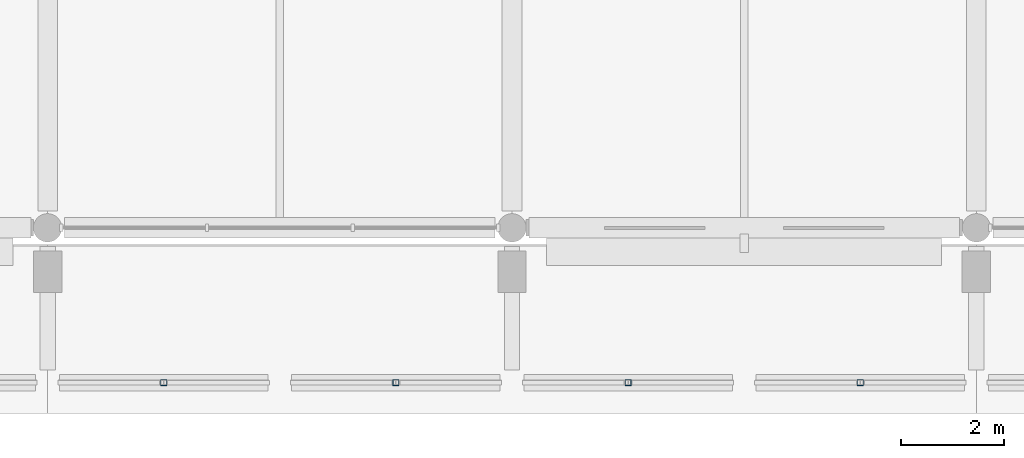
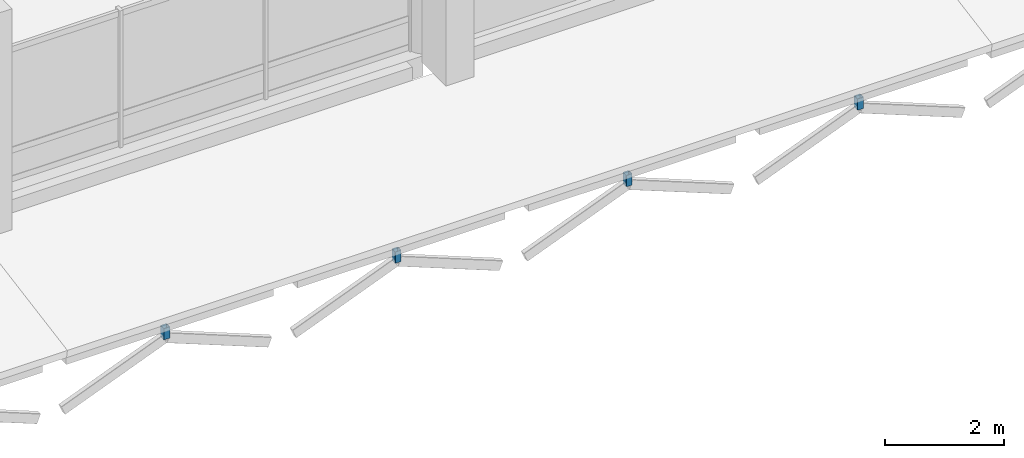
# One storey, part 90 of 132: 4 members.
"""IFC4 building model written with IfcOpenShell, lengths in metres."""

from ifc_helpers import new_model, si_unit, direction, frame, origin, origin_2d, place, context, subcontext, project, spatial, hollow_rectangle, extrude, material, material_profile, profile_set, type_object, element, save


model = new_model("IFC4")

# Units and contexts
model_context = context("Model", 3, precision=1e-05, world=origin(), true_north=direction((0.0, 1.0)))
body_context = subcontext(model_context, "Body", "Model", "MODEL_VIEW")
ifc_project = project(units=[si_unit("LENGTHUNIT", "METRE"), si_unit("AREAUNIT", "SQUARE_METRE"), si_unit("VOLUMEUNIT", "CUBIC_METRE"), si_unit("PLANEANGLEUNIT", "RADIAN"), si_unit("MASSUNIT", "GRAM", prefix="KILO")], contexts=[model_context])

# Site, building, storey
site_placement = place(None, origin())
site = spatial("IfcSite", under=ifc_project, at=site_placement, CompositionType="ELEMENT")
building_placement = place(site_placement, origin())
building = spatial("IfcBuilding", under=site, at=building_placement, Name="Tharagai Park Tramway Depot", CompositionType="ELEMENT")
storey_placement = place(building_placement, frame((0.0, 0.0, 4.800048828125)))
storey = spatial("IfcBuildingStorey", under=building, at=storey_placement, Name="L01", CompositionType="ELEMENT", Elevation=4.800048828125)

# Members
ifc_material = material(Name="Steel E250", Category="steel")
ifc_material_profile = material_profile(ifc_material, hollow_rectangle(XDim=0.1201171875, YDim=0.1201171875, WallThickness=0.0048828125, InnerFilletRadius=0.0048828125, OuterFilletRadius=0.010009765625, at=origin_2d()), Name="SHS 120x120x5")
ifc_profile_set = profile_set([ifc_material_profile], Name="Steel E250")
member_type = type_object("IfcMemberType", Name="BR-08", PredefinedType="BRACE", material=ifc_profile_set)
for number, where, z_axis, x_axis, name in (
    (1, (155.25, -3.0, -1.840087890625), (0.0, 0.0, 1.0), (1.0, 0.0, 0.0), "Pointed Gothic Spandrel Tracery Post BR-08"),
    (2, (159.75, -3.0, -1.840087890625), (0.0, 0.0, 1.0), (1.0, 0.0, 0.0), "Pointed Gothic Spandrel Tracery Post BR-08"),
    (3, (164.25, -3.0, -1.840087890625), (0.0, 0.0, 1.0), (1.0, 0.0, 0.0), "Pointed Gothic Spandrel Tracery Post BR-08"),
    (4, (168.75, -3.0, -1.840087890625), (0.0, 0.0, 1.0), (1.0, 0.0, 0.0), "Pointed Gothic Spandrel Tracery Post BR-08"),
):
    element("IfcMember", number, at=place(storey_placement, frame(where, z_axis=z_axis, x_axis=x_axis)), inside=storey, type_object=member_type, Name=name, PredefinedType="BRACE", context=body_context, shape_type="SweptSolid", body=[
        extrude(hollow_rectangle(XDim=0.1201171875, YDim=0.1201171875, WallThickness=0.0048828125, InnerFilletRadius=0.0048828125, OuterFilletRadius=0.010009765625, at=origin_2d()), origin(), (0.0, 0.0, 1.0), 0.22998046875),
    ])

save(model, "model.ifc")
